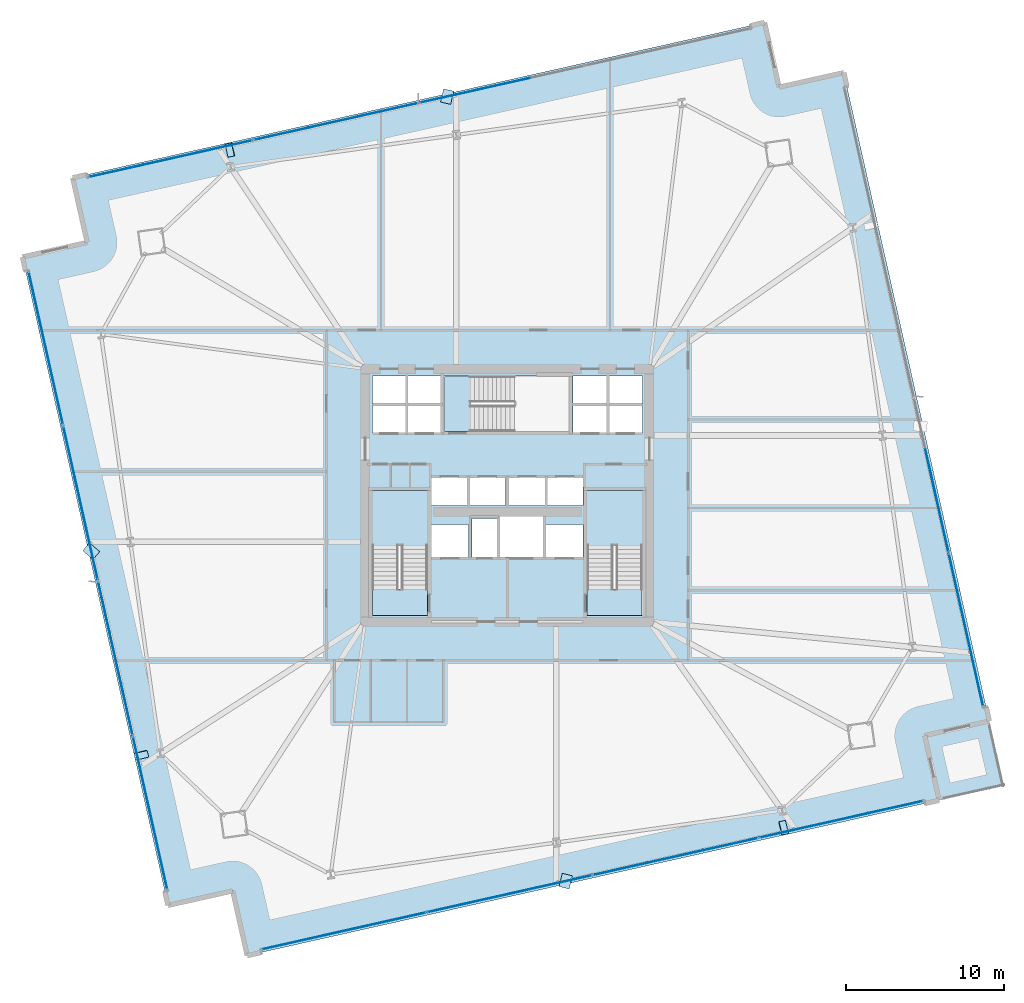
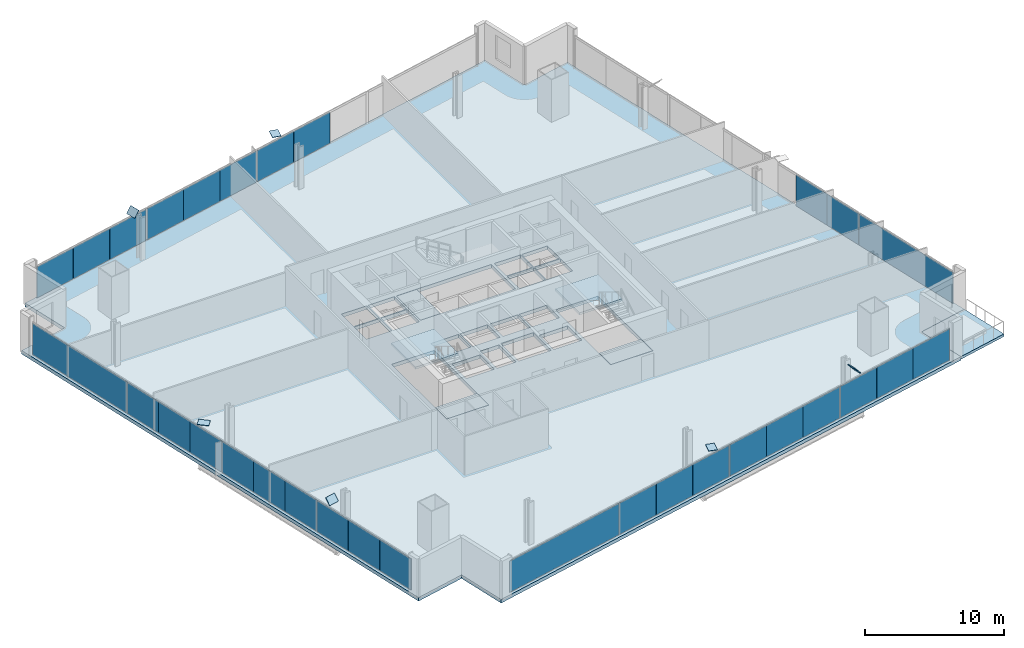
# One storey, part 23 of 32: 37 plates, 7 slabs, 6 elements without a shape of their own.
"""IFC4 building model written with IfcOpenShell, lengths in metres."""

from ifc_helpers import new_model, si_unit, direction, frame, origin, origin_2d, place, context, subcontext, project, spatial, polyline, rectangle, outline, extrude, source, transform, mapped, material, layer, layer_set, type_object, element, aggregate, save


model = new_model("IFC4")

# Units and contexts
model_context = context("Model", 3, precision=1e-05, world=origin(), true_north=direction((0.0, 1.0)))
body_context = subcontext(model_context, "Body", "Model", "MODEL_VIEW")
ifc_project = project(units=[si_unit("LENGTHUNIT", "METRE"), si_unit("AREAUNIT", "SQUARE_METRE"), si_unit("VOLUMEUNIT", "CUBIC_METRE"), si_unit("PLANEANGLEUNIT", "RADIAN"), si_unit("MASSUNIT", "GRAM", prefix="KILO")], contexts=[model_context])

# Site, building, storey
site_placement = place(None, origin())
site = spatial("IfcSite", under=ifc_project, at=site_placement, CompositionType="ELEMENT")
building_placement = place(site_placement, origin())
building = spatial("IfcBuilding", under=site, at=building_placement, Name="Haldenkirk Collegiate Tower", CompositionType="ELEMENT")
storey_placement = place(building_placement, frame((0.0, 0.0, 70.199951171875)))
storey = spatial("IfcBuildingStorey", under=building, at=storey_placement, Name="L16", CompositionType="ELEMENT", Elevation=70.199951171875)

# Slab
ifc_material_1 = material(Name="Concrete f'c 40 MPa", Category="concrete")
ifc_layer_1 = layer(ifc_material_1, 0.31005859375)
ifc_layer_set_1 = layer_set([ifc_layer_1], Name="Concrete f'c 40 MPa")
slab_type_1 = type_object("IfcSlabType", Name="SLB-FLR-310", PredefinedType="FLOOR", material=ifc_layer_set_1)
slab_1_placement = place(storey_placement, frame((0.0, 0.0, -0.31005859375)))
element("IfcSlab", 1, at=slab_1_placement, inside=storey, type_object=slab_type_1, Name="L16 composite structural floor slab", PredefinedType="FLOOR", context=body_context, shape_type="SweptSolid", body=[
    extrude(outline(polyline([(19.531494140625, -3.138916015625), (63.341552734375, 6.694091796875), (62.421875, 10.7919921875), (66.52001953125, 11.7119140625), (57.3056640625, 52.765380859375), (53.20751953125, 51.845703125), (52.287841796875, 55.94384765625), (8.477783203125, 46.11083984375), (9.3974609375, 42.012939453125), (5.299560546875, 41.093017578125), (14.513671875, 0.039306640625), (18.61181640625, 0.959228515625), (19.531494140625, -3.138916015625)]), holes=[polyline([(27.449951171875, 18.39990234375), (30.949951171875, 18.39990234375), (30.949951171875, 26.300048828125), (27.449951171875, 26.300048828125), (27.449951171875, 18.39990234375)]), polyline([(41.050048828125, 18.39990234375), (44.550048828125, 18.39990234375), (44.550048828125, 26.300048828125), (41.050048828125, 26.300048828125), (41.050048828125, 18.39990234375)]), polyline([(32.0, 30.050048828125), (39.89990234375, 30.050048828125), (39.89990234375, 33.550048828125), (32.0, 33.550048828125), (32.0, 30.050048828125)]), polyline([(33.75, 22.10009765625), (35.35009765625, 22.10009765625), (35.35009765625, 24.550048828125), (33.75, 24.550048828125), (33.75, 22.10009765625)]), polyline([(27.449951171875, 29.949951171875), (29.580078125, 29.949951171875), (29.580078125, 31.699951171875), (27.449951171875, 31.699951171875), (27.449951171875, 29.949951171875)]), polyline([(29.679931640625, 29.949951171875), (31.85009765625, 29.949951171875), (31.85009765625, 31.699951171875), (29.679931640625, 31.699951171875), (29.679931640625, 29.949951171875)]), polyline([(27.449951171875, 31.800048828125), (29.580078125, 31.800048828125), (29.580078125, 33.550048828125), (27.449951171875, 33.550048828125), (27.449951171875, 31.800048828125)]), polyline([(29.679931640625, 31.800048828125), (31.85009765625, 31.800048828125), (31.85009765625, 33.550048828125), (29.679931640625, 33.550048828125), (29.679931640625, 31.800048828125)]), polyline([(40.14990234375, 29.949951171875), (42.320068359375, 29.949951171875), (42.320068359375, 31.699951171875), (40.14990234375, 31.699951171875), (40.14990234375, 29.949951171875)]), polyline([(42.419921875, 29.949951171875), (44.550048828125, 29.949951171875), (44.550048828125, 31.699951171875), (42.419921875, 31.699951171875), (42.419921875, 29.949951171875)]), polyline([(40.14990234375, 31.800048828125), (42.320068359375, 31.800048828125), (42.320068359375, 33.550048828125), (40.14990234375, 33.550048828125), (40.14990234375, 31.800048828125)]), polyline([(42.419921875, 31.800048828125), (44.550048828125, 31.800048828125), (44.550048828125, 33.550048828125), (42.419921875, 33.550048828125), (42.419921875, 31.800048828125)]), polyline([(31.199951171875, 25.35009765625), (33.47998046875, 25.35009765625), (33.47998046875, 27.14990234375), (31.199951171875, 27.14990234375), (31.199951171875, 25.35009765625)]), polyline([(33.60009765625, 25.35009765625), (35.8798828125, 25.35009765625), (35.8798828125, 27.14990234375), (33.60009765625, 27.14990234375), (33.60009765625, 25.35009765625)]), polyline([(36.1201171875, 25.35009765625), (38.39990234375, 25.35009765625), (38.39990234375, 27.14990234375), (36.1201171875, 27.14990234375), (36.1201171875, 25.35009765625)]), polyline([(38.52001953125, 25.35009765625), (40.800048828125, 25.35009765625), (40.800048828125, 27.14990234375), (38.52001953125, 27.14990234375), (38.52001953125, 25.35009765625)]), polyline([(31.199951171875, 22.10009765625), (33.550048828125, 22.10009765625), (33.550048828125, 24.14990234375), (31.199951171875, 24.14990234375), (31.199951171875, 22.10009765625)]), polyline([(38.449951171875, 22.10009765625), (40.800048828125, 22.10009765625), (40.800048828125, 24.14990234375), (38.449951171875, 24.14990234375), (38.449951171875, 22.10009765625)]), polyline([(35.550048828125, 22.10009765625), (38.25, 22.10009765625), (38.25, 24.64990234375), (35.550048828125, 24.64990234375), (35.550048828125, 22.10009765625)])]), origin(), (0.0, 0.0, 1.0), 0.31005859375),
])

# Stair, slab
stair_type = type_object("IfcStairType", Name="STR-DOGLEG-1650", PredefinedType="HALF_TURN_STAIR", material=ifc_material_1)
stair_1_placement = place(storey_placement, origin())
stair_1 = element("IfcStair", 2, at=stair_1_placement, inside=storey, type_object=stair_type, Name="L16 Core Exit Stair ST-1", PredefinedType="HALF_TURN_STAIR")
ifc_layer_2 = layer(ifc_material_1, 0.199951171875)
ifc_layer_set_2 = layer_set([ifc_layer_2], Name="Concrete f'c 40 MPa")
slab_type_2 = type_object("IfcSlabType", Name="SLB-LANDING-200", PredefinedType="LANDING", material=ifc_layer_set_2)
slab_2_placement = place(storey_placement, frame((0.0, 0.0, 1.675048828125)))
slab_2 = element("IfcSlab", 3, at=slab_2_placement, type_object=slab_type_2, Name="ST-1 landing 1", PredefinedType="LANDING", context=body_context, shape_type="SweptSolid", body=[
    extrude(outline(polyline([(30.97509765625, 22.824951171875), (27.425048828125, 22.824951171875), (27.425048828125, 26.324951171875), (30.97509765625, 26.324951171875), (30.97509765625, 22.824951171875)])), origin(), (0.0, 0.0, 1.0), 0.199951171875),
])
aggregate(stair_1, [slab_2])

stair_2_placement = place(storey_placement, origin())
stair_2 = element("IfcStair", 4, at=stair_2_placement, inside=storey, type_object=stair_type, Name="L16 Core Exit Stair ST-2", PredefinedType="HALF_TURN_STAIR")
slab_3_placement = place(storey_placement, frame((0.0, 0.0, 1.675048828125)))
slab_3 = element("IfcSlab", 5, at=slab_3_placement, type_object=slab_type_2, Name="ST-2 landing 1", PredefinedType="LANDING", context=body_context, shape_type="SweptSolid", body=[
    extrude(outline(polyline([(44.574951171875, 22.824951171875), (41.02490234375, 22.824951171875), (41.02490234375, 26.324951171875), (44.574951171875, 26.324951171875), (44.574951171875, 22.824951171875)])), origin(), (0.0, 0.0, 1.0), 0.199951171875),
])
aggregate(stair_2, [slab_3])

# Slabs
ifc_layer_3 = layer(ifc_material_1, 0.25)
ifc_layer_set_3 = layer_set([ifc_layer_3], Name="Concrete f'c 40 MPa")
slab_type_3 = type_object("IfcSlabType", Name="SLB-STAIRLAND-250", PredefinedType="LANDING", material=ifc_layer_set_3)
slab_4_placement = place(storey_placement, frame((0.0, 0.0, -0.25)))
element("IfcSlab", 6, at=slab_4_placement, inside=storey, type_object=slab_type_3, Name="L16 stair ST1 structural floor landing slab", PredefinedType="LANDING", context=body_context, shape_type="SweptSolid", body=[
    extrude(outline(polyline([(27.4599609375, 18.409912109375), (30.93994140625, 18.409912109375), (30.93994140625, 20.080078125), (27.4599609375, 20.080078125), (27.4599609375, 18.409912109375)])), origin(), (0.0, 0.0, 1.0), 0.25),
])
slab_5_placement = place(storey_placement, frame((0.0, 0.0, -0.25)))
element("IfcSlab", 7, at=slab_5_placement, inside=storey, type_object=slab_type_3, Name="L16 stair ST2 structural floor landing slab", PredefinedType="LANDING", context=body_context, shape_type="SweptSolid", body=[
    extrude(outline(polyline([(41.06005859375, 18.409912109375), (44.5400390625, 18.409912109375), (44.5400390625, 20.080078125), (41.06005859375, 20.080078125), (41.06005859375, 18.409912109375)])), origin(), (0.0, 0.0, 1.0), 0.25),
])
slab_6_placement = place(storey_placement, frame((0.0, 0.0, -0.25)))
element("IfcSlab", 8, at=slab_6_placement, inside=storey, type_object=slab_type_3, Name="L16 stair ST3 structural floor landing slab", PredefinedType="LANDING", context=body_context, shape_type="SweptSolid", body=[
    extrude(outline(polyline([(32.010009765625, 30.06005859375), (33.679931640625, 30.06005859375), (33.679931640625, 33.5400390625), (32.010009765625, 33.5400390625), (32.010009765625, 30.06005859375)])), origin(), (0.0, 0.0, 1.0), 0.25),
])
ifc_layer_4 = layer(ifc_material_1, 0.22998046875)
ifc_layer_set_4 = layer_set([ifc_layer_4], Name="Concrete f'c 40 MPa")
slab_type_4 = type_object("IfcSlabType", Name="SLB-TERR-SPIRAL-230", PredefinedType="FLOOR", material=ifc_layer_set_4)
slab_7_placement = place(storey_placement, frame((0.0, 0.0, -0.22998046875)))
element("IfcSlab", 9, at=slab_7_placement, inside=storey, type_object=slab_type_4, Name="L16 spiralling corner terrace slab", PredefinedType="FLOOR", context=body_context, shape_type="SweptSolid", body=[
    extrude(outline(polyline([(63.341552734375, 6.694091796875), (67.439697265625, 7.61376953125), (66.52001953125, 11.7119140625), (62.421875, 10.7919921875), (63.341552734375, 6.694091796875)])), origin(), (0.0, 0.0, 1.0), 0.22998046875),
])

# Plates
ifc_material_2 = material(Name="Steel ASTM A572 Grade 50", Category="steel")
ifc_layer_5 = layer(ifc_material_2, 0.034912109375)
ifc_layer_set_5 = layer_set([ifc_layer_5], Name="Steel ASTM A572 Grade 50")
plate_type_1 = type_object("IfcPlateType", Name="PLT-CAP-EXT-760X600", PredefinedType="USERDEFINED", material=ifc_layer_set_5)
shared_shape_1 = source(origin(), body_context, "Body", "SweptSolid", [
    extrude(rectangle(XDim=0.860107421875, YDim=0.659912109375, at=origin_2d()), origin(), (0.0, 0.0, 1.0), 0.034912109375),
])
for number, where, z_axis, x_axis, name in (
    (10, (39.691650390625, 1.5703125, 3.42724609375), (0.018912000295, -0.004719000074, 0.999810015595), (0.242105952403, 0.970249817218, -9.8903e-08), "Perimeter Mega Brace Z1 L14-L16 SL end cap plate 2"),
    (11, (53.47802734375, 4.956787109375, 3.42822265625), (0.766452034281, 0.182499008163, 0.615829027544), (-0.231633054099, 0.97280323203, 8.74e-10), "Perimeter Mega Brace Z1 L14-L16 SR end cap plate 2"),
    (12, (32.189453125, 51.25, 3.42724609375), (-0.019898007315, 0.004826001774, 0.999790367533), (-0.235687010765, -0.971829014259, 3.46755e-07), "Perimeter Mega Brace Z1 L14-L16 NL end cap plate 2"),
    (13, (18.445068359375, 47.873779296875, 3.42822265625), (-0.76583973759, -0.182121937597, 0.616701788691), (0.231355039478, -0.972869387795, 4.0198e-08), "Perimeter Mega Brace Z1 L14-L16 NR end cap plate 2"),
    (14, (9.6513671875, 22.47021484375, 3.42724609375), (-0.00926099956, -0.010691999492, 0.999899952512), (0.755875902683, -0.654714914862, -4.5139e-08), "Perimeter Mega Brace Z1 L14-L16 WL end cap plate 2"),
    (15, (12.821533203125, 9.562744140625, 3.42822265625), (0.175390985133, -0.745176936835, 0.643388945463), (0.973401050159, 0.22910782516, 1.52692e-07), "Perimeter Mega Brace Z1 L14-L16 WR end cap plate 2"),
):
    element("IfcPlate", number, at=place(storey_placement, frame(where, z_axis=z_axis, x_axis=x_axis)), inside=storey, type_object=plate_type_1, Name=name, ObjectType="END CAP PLATE", PredefinedType="USERDEFINED", context=body_context, shape_type="MappedRepresentation", body=[
        mapped(shared_shape_1, transform((0.0, 0.0, 0.0), x_axis=(1.0, 0.0, 0.0), y_axis=(0.0, 1.0, 0.0), z_axis=(0.0, 0.0, 1.0), scale=1.0)),
    ])

# Curtain wall, plates
ifc_material_3 = material(Name="Anodised architectural bronze aluminium", Category="aluminium")
curtain_wall_type_1 = type_object("IfcCurtainWallType", Name="CW-SYS2-CONCAVE", PredefinedType="USERDEFINED", material=ifc_material_3)
curtain_wall_1_placement = place(storey_placement, origin())
curtain_wall_1 = element("IfcCurtainWall", 16, at=curtain_wall_1_placement, inside=storey, type_object=curtain_wall_type_1, Name="L16 South concave recessed bronze-anodised curtain wall", ObjectType="UNITISED CURTAIN WALL", PredefinedType="USERDEFINED")
ifc_material_4 = material(Name="Bronze-anodised insulated aluminium spandrel panel", Category="aluminium")
ifc_layer_6 = layer(ifc_material_4, 0.0419921875)
ifc_layer_set_6 = layer_set([ifc_layer_6], Name="Bronze-anodised insulated aluminium spandrel panel")
plate_type_2 = type_object("IfcPlateType", Name="CW-SPD-02", PredefinedType="CURTAIN_PANEL", material=ifc_layer_set_6)
shared_shape_2 = source(origin(), body_context, "Body", "SweptSolid", [
    extrude(rectangle(XDim=3.55419921875, YDim=0.0419921875, at=origin_2d()), origin(), (0.0, 0.0, 1.0), 2.740966796875),
])
plate_1_placement = place(storey_placement, frame((50.139892578125, 3.91552734375, 0.0751953125), z_axis=(0.0, 0.0, 1.0), x_axis=(-0.975726300015, -0.218993578578, 0.0)))
plate_1 = element("IfcPlate", 17, at=plate_1_placement, type_object=plate_type_2, Name="CW-02 spandrel panel 2.1a", PredefinedType="CURTAIN_PANEL", context=body_context, shape_type="MappedRepresentation", body=[
    mapped(shared_shape_2, transform((0.0, 0.0, 0.0), x_axis=(1.0, 0.0, 0.0), y_axis=(0.0, 1.0, 0.0), z_axis=(0.0, 0.0, 1.0), scale=1.0)),
])
ifc_material_5 = material(Name="Low-E argon triple insulating glass", Category="glass")
ifc_layer_7 = layer(ifc_material_5, 0.0419921875)
ifc_layer_set_7 = layer_set([ifc_layer_7], Name="Low-E argon triple insulating glass")
plate_type_3 = type_object("IfcPlateType", Name="CW-PNL-02", PredefinedType="CURTAIN_PANEL", material=ifc_layer_set_7)
plate_2_placement = place(storey_placement, frame((43.167724609375, 2.3505859375, 0.0751953125), z_axis=(0.0, 0.0, 1.0), x_axis=(-0.975726300015, -0.218993578578, 0.0)))
plate_2 = element("IfcPlate", 18, at=plate_2_placement, type_object=plate_type_3, Name="CW-02 panel 2.1c", PredefinedType="CURTAIN_PANEL", context=body_context, shape_type="MappedRepresentation", body=[
    mapped(shared_shape_2, transform((0.0, 0.0, 0.0), x_axis=(1.0, 0.0, 0.0), y_axis=(0.0, 1.0, 0.0), z_axis=(0.0, 0.0, 1.0), scale=1.0)),
])
plate_3_placement = place(storey_placement, frame((39.626708984375, 1.555908203125, 0.0751953125), z_axis=(0.0, 0.0, 1.0), x_axis=(-0.975726300015, -0.218993578578, 0.0)))
plate_3 = element("IfcPlate", 19, at=plate_3_placement, type_object=plate_type_2, Name="CW-02 spandrel panel 3.1a", PredefinedType="CURTAIN_PANEL", context=body_context, shape_type="MappedRepresentation", body=[
    mapped(shared_shape_2, transform((0.0, 0.0, 0.0), x_axis=(1.0, 0.0, 0.0), y_axis=(0.0, 1.0, 0.0), z_axis=(0.0, 0.0, 1.0), scale=1.0)),
])
plate_4_placement = place(storey_placement, frame((32.654296875, -0.009033203125, 0.0751953125), z_axis=(0.0, 0.0, 1.0), x_axis=(-0.975726300015, -0.218993578578, 0.0)))
plate_4 = element("IfcPlate", 20, at=plate_4_placement, type_object=plate_type_3, Name="CW-02 panel 3.1c", PredefinedType="CURTAIN_PANEL", context=body_context, shape_type="MappedRepresentation", body=[
    mapped(shared_shape_2, transform((0.0, 0.0, 0.0), x_axis=(1.0, 0.0, 0.0), y_axis=(0.0, 1.0, 0.0), z_axis=(0.0, 0.0, 1.0), scale=1.0)),
])
shared_shape_3 = source(origin(), body_context, "Body", "SweptSolid", [
    extrude(rectangle(XDim=3.541748046875, YDim=0.0419921875, at=origin_2d()), origin(), (0.0, 0.0, 1.0), 2.740966796875),
])
plate_5_placement = place(storey_placement, frame((60.623046875, 6.268310546875, 0.0751953125), z_axis=(0.0, 0.0, 1.0), x_axis=(-0.975726300015, -0.218993578578, 0.0)))
plate_5 = element("IfcPlate", 21, at=plate_5_placement, type_object=plate_type_3, Name="CW-02 panel 1.1a", PredefinedType="CURTAIN_PANEL", context=body_context, shape_type="MappedRepresentation", body=[
    mapped(shared_shape_3, transform((0.0, 0.0, 0.0), x_axis=(1.0, 0.0, 0.0), y_axis=(0.0, 1.0, 0.0), z_axis=(0.0, 0.0, 1.0), scale=1.0)),
])
plate_6_placement = place(storey_placement, frame((53.675048828125, 4.708984375, 0.0751953125), z_axis=(0.0, 0.0, 1.0), x_axis=(-0.975726300015, -0.218993578578, 0.0)))
plate_6 = element("IfcPlate", 22, at=plate_6_placement, type_object=plate_type_2, Name="CW-02 spandrel panel 1.1c", PredefinedType="CURTAIN_PANEL", context=body_context, shape_type="MappedRepresentation", body=[
    mapped(shared_shape_3, transform((0.0, 0.0, 0.0), x_axis=(1.0, 0.0, 0.0), y_axis=(0.0, 1.0, 0.0), z_axis=(0.0, 0.0, 1.0), scale=1.0)),
])
plate_7_placement = place(storey_placement, frame((46.65380859375, 3.133056640625, 0.0751953125), z_axis=(0.0, 0.0, 1.0), x_axis=(-0.975726300015, -0.218993578578, 0.0)))
plate_7 = element("IfcPlate", 23, at=plate_7_placement, type_object=plate_type_3, Name="CW-02 panel 2.1b", PredefinedType="CURTAIN_PANEL", context=body_context, shape_type="MappedRepresentation", body=[
    mapped(shared_shape_3, transform((0.0, 0.0, 0.0), x_axis=(1.0, 0.0, 0.0), y_axis=(0.0, 1.0, 0.0), z_axis=(0.0, 0.0, 1.0), scale=1.0)),
])
plate_8_placement = place(storey_placement, frame((36.140380859375, 0.7734375, 0.0751953125), z_axis=(0.0, 0.0, 1.0), x_axis=(-0.975726300015, -0.218993578578, 0.0)))
plate_8 = element("IfcPlate", 24, at=plate_8_placement, type_object=plate_type_3, Name="CW-02 panel 3.1b", PredefinedType="CURTAIN_PANEL", context=body_context, shape_type="MappedRepresentation", body=[
    mapped(shared_shape_3, transform((0.0, 0.0, 0.0), x_axis=(1.0, 0.0, 0.0), y_axis=(0.0, 1.0, 0.0), z_axis=(0.0, 0.0, 1.0), scale=1.0)),
])

# Curtain wall, plate
curtain_wall_type_2 = type_object("IfcCurtainWallType", Name="CW-SYS1-CONVEX-LOW", PredefinedType="USERDEFINED", material=ifc_material_3)
curtain_wall_2_placement = place(storey_placement, origin())
curtain_wall_2 = element("IfcCurtainWall", 25, at=curtain_wall_2_placement, inside=storey, type_object=curtain_wall_type_2, Name="L16 Lower tower convex bronze-framed unitised curtain wall", ObjectType="UNITISED CURTAIN WALL", PredefinedType="USERDEFINED")
ifc_layer_8 = layer(ifc_material_5, 0.0439453125)
ifc_layer_set_8 = layer_set([ifc_layer_8], Name="Low-E argon triple insulating glass")
plate_type_4 = type_object("IfcPlateType", Name="CW-PNL-1A", PredefinedType="CURTAIN_PANEL", material=ifc_layer_set_8)
shared_shape_4 = source(origin(), body_context, "Body", "SweptSolid", [
    extrude(rectangle(XDim=9.94873046875, YDim=0.0439453125, at=origin_2d()), origin(), (0.0, 0.0, 1.0), 2.73095703125),
])
plate_9_placement = place(storey_placement, frame((65.040283203125, 17.482421875, 0.080078125), z_axis=(0.0, 0.0, 1.0), x_axis=(0.218995311037, -0.975725911178, 0.0)))
plate_9 = element("IfcPlate", 26, at=plate_9_placement, type_object=plate_type_4, Name="CW-1A panel 4.1", PredefinedType="CURTAIN_PANEL", context=body_context, shape_type="MappedRepresentation", body=[
    mapped(shared_shape_4, transform((0.0, 0.0, 0.0), x_axis=(1.0, 0.0, 0.0), y_axis=(0.0, 1.0, 0.0), z_axis=(0.0, 0.0, 1.0), scale=1.0)),
])

curtain_wall_3_placement = place(storey_placement, origin())
curtain_wall_3 = element("IfcCurtainWall", 27, at=curtain_wall_3_placement, inside=storey, type_object=curtain_wall_type_2, Name="L16 Lower tower convex bronze-framed unitised curtain wall", ObjectType="UNITISED CURTAIN WALL", PredefinedType="USERDEFINED")
plate_10_placement = place(storey_placement, frame((6.779052734375, 35.322509765625, 0.080078125), z_axis=(0.0, 0.0, 1.0), x_axis=(-0.218994780479, 0.975726030258, 0.0)))
plate_10 = element("IfcPlate", 28, at=plate_10_placement, type_object=plate_type_4, Name="CW-1A panel 4.1", PredefinedType="CURTAIN_PANEL", context=body_context, shape_type="MappedRepresentation", body=[
    mapped(shared_shape_4, transform((0.0, 0.0, 0.0), x_axis=(1.0, 0.0, 0.0), y_axis=(0.0, 1.0, 0.0), z_axis=(0.0, 0.0, 1.0), scale=1.0)),
])

# Plate
shared_shape_5 = source(origin(), body_context, "Body", "SweptSolid", [
    extrude(rectangle(XDim=3.317138671875, YDim=0.0439453125, at=origin_2d()), origin(), (0.0, 0.0, 1.0), 2.73095703125),
])
plate_11_placement = place(storey_placement, frame((63.5703125, 24.0322265625, 0.080078125), z_axis=(0.0, 0.0, 1.0), x_axis=(0.218995311037, -0.975725911178, 0.0)))
plate_11 = element("IfcPlate", 29, at=plate_11_placement, type_object=plate_type_4, Name="CW-1A panel 3.1c", PredefinedType="CURTAIN_PANEL", context=body_context, shape_type="MappedRepresentation", body=[
    mapped(shared_shape_5, transform((0.0, 0.0, 0.0), x_axis=(1.0, 0.0, 0.0), y_axis=(0.0, 1.0, 0.0), z_axis=(0.0, 0.0, 1.0), scale=1.0)),
])

ifc_layer_9 = layer(ifc_material_4, 0.0439453125)
ifc_layer_set_9 = layer_set([ifc_layer_9], Name="Bronze-anodised insulated aluminium spandrel panel")
plate_type_5 = type_object("IfcPlateType", Name="CW-SPD-1A", PredefinedType="CURTAIN_PANEL", material=ifc_layer_set_9)
plate_12_placement = place(storey_placement, frame((11.915283203125, 12.438720703125, 0.080078125), z_axis=(0.0, 0.0, 1.0), x_axis=(-0.218994780479, 0.975726030258, 0.0)))
plate_12 = element("IfcPlate", 30, at=plate_12_placement, type_object=plate_type_5, Name="CW-1A spandrel panel 2.1a", PredefinedType="CURTAIN_PANEL", context=body_context, shape_type="MappedRepresentation", body=[
    mapped(shared_shape_5, transform((0.0, 0.0, 0.0), x_axis=(1.0, 0.0, 0.0), y_axis=(0.0, 1.0, 0.0), z_axis=(0.0, 0.0, 1.0), scale=1.0)),
])

plate_13_placement = place(storey_placement, frame((10.4541015625, 18.9482421875, 0.080078125), z_axis=(0.0, 0.0, 1.0), x_axis=(-0.218994780479, 0.975726030258, 0.0)))
plate_13 = element("IfcPlate", 31, at=plate_13_placement, type_object=plate_type_4, Name="CW-1A panel 2.1c", PredefinedType="CURTAIN_PANEL", context=body_context, shape_type="MappedRepresentation", body=[
    mapped(shared_shape_5, transform((0.0, 0.0, 0.0), x_axis=(1.0, 0.0, 0.0), y_axis=(0.0, 1.0, 0.0), z_axis=(0.0, 0.0, 1.0), scale=1.0)),
])

plate_14_placement = place(storey_placement, frame((9.710205078125, 22.262939453125, 0.080078125), z_axis=(0.0, 0.0, 1.0), x_axis=(-0.218994780479, 0.975726030258, 0.0)))
plate_14 = element("IfcPlate", 32, at=plate_14_placement, type_object=plate_type_5, Name="CW-1A spandrel panel 3.1a", PredefinedType="CURTAIN_PANEL", context=body_context, shape_type="MappedRepresentation", body=[
    mapped(shared_shape_5, transform((0.0, 0.0, 0.0), x_axis=(1.0, 0.0, 0.0), y_axis=(0.0, 1.0, 0.0), z_axis=(0.0, 0.0, 1.0), scale=1.0)),
])

plate_15_placement = place(storey_placement, frame((8.249267578125, 28.772705078125, 0.080078125), z_axis=(0.0, 0.0, 1.0), x_axis=(-0.218994780479, 0.975726030258, 0.0)))
plate_15 = element("IfcPlate", 33, at=plate_15_placement, type_object=plate_type_4, Name="CW-1A panel 3.1c", PredefinedType="CURTAIN_PANEL", context=body_context, shape_type="MappedRepresentation", body=[
    mapped(shared_shape_5, transform((0.0, 0.0, 0.0), x_axis=(1.0, 0.0, 0.0), y_axis=(0.0, 1.0, 0.0), z_axis=(0.0, 0.0, 1.0), scale=1.0)),
])

shared_shape_6 = source(origin(), body_context, "Body", "SweptSolid", [
    extrude(rectangle(XDim=3.3046875, YDim=0.0439453125, at=origin_2d()), origin(), (0.0, 0.0, 1.0), 2.73095703125),
])
plate_16_placement = place(storey_placement, frame((62.839599609375, 27.287109375, 0.080078125), z_axis=(0.0, 0.0, 1.0), x_axis=(0.218995311037, -0.975725911178, 0.0)))
plate_16 = element("IfcPlate", 34, at=plate_16_placement, type_object=plate_type_4, Name="CW-1A panel 3.1b", PredefinedType="CURTAIN_PANEL", context=body_context, shape_type="MappedRepresentation", body=[
    mapped(shared_shape_6, transform((0.0, 0.0, 0.0), x_axis=(1.0, 0.0, 0.0), y_axis=(0.0, 1.0, 0.0), z_axis=(0.0, 0.0, 1.0), scale=1.0)),
])

aggregate(curtain_wall_2, [plate_16, plate_11, plate_9])

plate_17_placement = place(storey_placement, frame((11.184814453125, 15.693603515625, 0.080078125), z_axis=(0.0, 0.0, 1.0), x_axis=(-0.218994780479, 0.975726030258, 0.0)))
plate_17 = element("IfcPlate", 35, at=plate_17_placement, type_object=plate_type_5, Name="CW-1A spandrel panel 2.1b", PredefinedType="CURTAIN_PANEL", context=body_context, shape_type="MappedRepresentation", body=[
    mapped(shared_shape_6, transform((0.0, 0.0, 0.0), x_axis=(1.0, 0.0, 0.0), y_axis=(0.0, 1.0, 0.0), z_axis=(0.0, 0.0, 1.0), scale=1.0)),
])

plate_18_placement = place(storey_placement, frame((8.979736328125, 25.517822265625, 0.080078125), z_axis=(0.0, 0.0, 1.0), x_axis=(-0.218994780479, 0.975726030258, 0.0)))
plate_18 = element("IfcPlate", 36, at=plate_18_placement, type_object=plate_type_4, Name="CW-1A panel 3.1b", PredefinedType="CURTAIN_PANEL", context=body_context, shape_type="MappedRepresentation", body=[
    mapped(shared_shape_6, transform((0.0, 0.0, 0.0), x_axis=(1.0, 0.0, 0.0), y_axis=(0.0, 1.0, 0.0), z_axis=(0.0, 0.0, 1.0), scale=1.0)),
])

# Curtain wall, plates
curtain_wall_4_placement = place(storey_placement, origin())
curtain_wall_4 = element("IfcCurtainWall", 37, at=curtain_wall_4_placement, inside=storey, type_object=curtain_wall_type_2, Name="L16 Lower tower convex bronze-framed unitised curtain wall", ObjectType="UNITISED CURTAIN WALL", PredefinedType="USERDEFINED")
shared_shape_7 = source(origin(), body_context, "Body", "SweptSolid", [
    extrude(rectangle(XDim=3.552490234375, YDim=0.0439453125, at=origin_2d()), origin(), (0.0, 0.0, 1.0), 2.73095703125),
])
plate_19_placement = place(storey_placement, frame((21.680908203125, 48.889892578125, 0.080078125), z_axis=(0.0, 0.0, 1.0), x_axis=(0.975725804241, 0.218995787492, 0.0)))
plate_19 = element("IfcPlate", 38, at=plate_19_placement, type_object=plate_type_5, Name="CW-1A spandrel panel 2.1a", PredefinedType="CURTAIN_PANEL", context=body_context, shape_type="MappedRepresentation", body=[
    mapped(shared_shape_7, transform((0.0, 0.0, 0.0), x_axis=(1.0, 0.0, 0.0), y_axis=(0.0, 1.0, 0.0), z_axis=(0.0, 0.0, 1.0), scale=1.0)),
])
plate_20_placement = place(storey_placement, frame((28.64990234375, 50.4541015625, 0.080078125), z_axis=(0.0, 0.0, 1.0), x_axis=(0.975725804241, 0.218995787492, 0.0)))
plate_20 = element("IfcPlate", 39, at=plate_20_placement, type_object=plate_type_4, Name="CW-1A panel 2.1c", PredefinedType="CURTAIN_PANEL", context=body_context, shape_type="MappedRepresentation", body=[
    mapped(shared_shape_7, transform((0.0, 0.0, 0.0), x_axis=(1.0, 0.0, 0.0), y_axis=(0.0, 1.0, 0.0), z_axis=(0.0, 0.0, 1.0), scale=1.0)),
])
plate_21_placement = place(storey_placement, frame((32.1943359375, 51.24951171875, 0.080078125), z_axis=(0.0, 0.0, 1.0), x_axis=(0.975725804241, 0.218995787492, 0.0)))
plate_21 = element("IfcPlate", 40, at=plate_21_placement, type_object=plate_type_5, Name="CW-1A spandrel panel 3.1a", PredefinedType="CURTAIN_PANEL", context=body_context, shape_type="MappedRepresentation", body=[
    mapped(shared_shape_7, transform((0.0, 0.0, 0.0), x_axis=(1.0, 0.0, 0.0), y_axis=(0.0, 1.0, 0.0), z_axis=(0.0, 0.0, 1.0), scale=1.0)),
])
shared_shape_8 = source(origin(), body_context, "Body", "SweptSolid", [
    extrude(rectangle(XDim=3.5400390625, YDim=0.0439453125, at=origin_2d()), origin(), (0.0, 0.0, 1.0), 2.73095703125),
])
plate_22_placement = place(storey_placement, frame((25.165283203125, 49.671875, 0.080078125), z_axis=(0.0, 0.0, 1.0), x_axis=(0.975725804241, 0.218995787492, 0.0)))
plate_22 = element("IfcPlate", 41, at=plate_22_placement, type_object=plate_type_4, Name="CW-1A panel 2.1b", PredefinedType="CURTAIN_PANEL", context=body_context, shape_type="MappedRepresentation", body=[
    mapped(shared_shape_8, transform((0.0, 0.0, 0.0), x_axis=(1.0, 0.0, 0.0), y_axis=(0.0, 1.0, 0.0), z_axis=(0.0, 0.0, 1.0), scale=1.0)),
])
plate_23_placement = place(storey_placement, frame((35.678955078125, 52.031494140625, 0.080078125), z_axis=(0.0, 0.0, 1.0), x_axis=(0.975725804241, 0.218995787492, 0.0)))
plate_23 = element("IfcPlate", 42, at=plate_23_placement, type_object=plate_type_4, Name="CW-1A panel 3.1b", PredefinedType="CURTAIN_PANEL", context=body_context, shape_type="MappedRepresentation", body=[
    mapped(shared_shape_8, transform((0.0, 0.0, 0.0), x_axis=(1.0, 0.0, 0.0), y_axis=(0.0, 1.0, 0.0), z_axis=(0.0, 0.0, 1.0), scale=1.0)),
])

# Plate
shared_shape_9 = source(origin(), body_context, "Body", "SweptSolid", [
    extrude(rectangle(XDim=10.662353515625, YDim=0.0419921875, at=origin_2d()), origin(), (0.0, 0.0, 1.0), 2.740966796875),
])
plate_24_placement = place(storey_placement, frame((25.645263671875, -1.582275390625, 0.0751953125), z_axis=(0.0, 0.0, 1.0), x_axis=(-0.975726300015, -0.218993578578, 0.0)))
plate_24 = element("IfcPlate", 43, at=plate_24_placement, type_object=plate_type_3, Name="CW-02 panel 4.1", PredefinedType="CURTAIN_PANEL", context=body_context, shape_type="MappedRepresentation", body=[
    mapped(shared_shape_9, transform((0.0, 0.0, 0.0), x_axis=(1.0, 0.0, 0.0), y_axis=(0.0, 1.0, 0.0), z_axis=(0.0, 0.0, 1.0), scale=1.0)),
])

shared_shape_10 = source(origin(), body_context, "Body", "SweptSolid", [
    extrude(rectangle(XDim=3.529296875, YDim=0.0419921875, at=origin_2d()), origin(), (0.0, 0.0, 1.0), 2.740966796875),
])
plate_25_placement = place(storey_placement, frame((57.14892578125, 5.488525390625, 0.0751953125), z_axis=(0.0, 0.0, 1.0), x_axis=(-0.975726300015, -0.218993578578, 0.0)))
plate_25 = element("IfcPlate", 44, at=plate_25_placement, type_object=plate_type_3, Name="CW-02 panel 1.1b", PredefinedType="CURTAIN_PANEL", context=body_context, shape_type="MappedRepresentation", body=[
    mapped(shared_shape_10, transform((0.0, 0.0, 0.0), x_axis=(1.0, 0.0, 0.0), y_axis=(0.0, 1.0, 0.0), z_axis=(0.0, 0.0, 1.0), scale=1.0)),
])

aggregate(curtain_wall_1, [plate_5, plate_25, plate_6, plate_1, plate_7, plate_2, plate_3, plate_8, plate_4, plate_24])

shared_shape_11 = source(origin(), body_context, "Body", "SweptSolid", [
    extrude(rectangle(XDim=3.3037109375, YDim=0.0439453125, at=origin_2d()), origin(), (0.0, 0.0, 1.0), 2.73095703125),
])
plate_26_placement = place(storey_placement, frame((14.11279296875, 2.646728515625, 0.080078125), z_axis=(0.0, 0.0, 1.0), x_axis=(-0.218994780479, 0.975726030258, 0.0)))
plate_26 = element("IfcPlate", 45, at=plate_26_placement, type_object=plate_type_4, Name="CW-1A panel 1.1a", PredefinedType="CURTAIN_PANEL", context=body_context, shape_type="MappedRepresentation", body=[
    mapped(shared_shape_11, transform((0.0, 0.0, 0.0), x_axis=(1.0, 0.0, 0.0), y_axis=(0.0, 1.0, 0.0), z_axis=(0.0, 0.0, 1.0), scale=1.0)),
])

plate_27_placement = place(storey_placement, frame((12.65771484375, 9.130615234375, 0.080078125), z_axis=(0.0, 0.0, 1.0), x_axis=(-0.218994780479, 0.975726030258, 0.0)))
plate_27 = element("IfcPlate", 46, at=plate_27_placement, type_object=plate_type_5, Name="CW-1A spandrel panel 1.1c", PredefinedType="CURTAIN_PANEL", context=body_context, shape_type="MappedRepresentation", body=[
    mapped(shared_shape_11, transform((0.0, 0.0, 0.0), x_axis=(1.0, 0.0, 0.0), y_axis=(0.0, 1.0, 0.0), z_axis=(0.0, 0.0, 1.0), scale=1.0)),
])

shared_shape_12 = source(origin(), body_context, "Body", "SweptSolid", [
    extrude(rectangle(XDim=3.291259765625, YDim=0.0439453125, at=origin_2d()), origin(), (0.0, 0.0, 1.0), 2.73095703125),
])
plate_28_placement = place(storey_placement, frame((13.38525390625, 5.888671875, 0.080078125), z_axis=(0.0, 0.0, 1.0), x_axis=(-0.218994780479, 0.975726030258, 0.0)))
plate_28 = element("IfcPlate", 47, at=plate_28_placement, type_object=plate_type_4, Name="CW-1A panel 1.1b", PredefinedType="CURTAIN_PANEL", context=body_context, shape_type="MappedRepresentation", body=[
    mapped(shared_shape_12, transform((0.0, 0.0, 0.0), x_axis=(1.0, 0.0, 0.0), y_axis=(0.0, 1.0, 0.0), z_axis=(0.0, 0.0, 1.0), scale=1.0)),
])

aggregate(curtain_wall_3, [plate_26, plate_28, plate_27, plate_12, plate_17, plate_13, plate_14, plate_18, plate_15, plate_10])

shared_shape_13 = source(origin(), body_context, "Body", "SweptSolid", [
    extrude(rectangle(XDim=3.539306640625, YDim=0.0439453125, at=origin_2d()), origin(), (0.0, 0.0, 1.0), 2.73095703125),
])
plate_29_placement = place(storey_placement, frame((11.199951171875, 46.53759765625, 0.080078125), z_axis=(0.0, 0.0, 1.0), x_axis=(0.975725804241, 0.218995787492, 0.0)))
plate_29 = element("IfcPlate", 48, at=plate_29_placement, type_object=plate_type_4, Name="CW-1A panel 1.1a", PredefinedType="CURTAIN_PANEL", context=body_context, shape_type="MappedRepresentation", body=[
    mapped(shared_shape_13, transform((0.0, 0.0, 0.0), x_axis=(1.0, 0.0, 0.0), y_axis=(0.0, 1.0, 0.0), z_axis=(0.0, 0.0, 1.0), scale=1.0)),
])

plate_30_placement = place(storey_placement, frame((18.14306640625, 48.095703125, 0.080078125), z_axis=(0.0, 0.0, 1.0), x_axis=(0.975725804241, 0.218995787492, 0.0)))
plate_30 = element("IfcPlate", 49, at=plate_30_placement, type_object=plate_type_5, Name="CW-1A spandrel panel 1.1c", PredefinedType="CURTAIN_PANEL", context=body_context, shape_type="MappedRepresentation", body=[
    mapped(shared_shape_13, transform((0.0, 0.0, 0.0), x_axis=(1.0, 0.0, 0.0), y_axis=(0.0, 1.0, 0.0), z_axis=(0.0, 0.0, 1.0), scale=1.0)),
])

shared_shape_14 = source(origin(), body_context, "Body", "SweptSolid", [
    extrude(rectangle(XDim=3.526611328125, YDim=0.0439453125, at=origin_2d()), origin(), (0.0, 0.0, 1.0), 2.73095703125),
])
plate_31_placement = place(storey_placement, frame((14.67138671875, 47.316650390625, 0.080078125), z_axis=(0.0, 0.0, 1.0), x_axis=(0.975725804241, 0.218995787492, 0.0)))
plate_31 = element("IfcPlate", 50, at=plate_31_placement, type_object=plate_type_4, Name="CW-1A panel 1.1b", PredefinedType="CURTAIN_PANEL", context=body_context, shape_type="MappedRepresentation", body=[
    mapped(shared_shape_14, transform((0.0, 0.0, 0.0), x_axis=(1.0, 0.0, 0.0), y_axis=(0.0, 1.0, 0.0), z_axis=(0.0, 0.0, 1.0), scale=1.0)),
])

aggregate(curtain_wall_4, [plate_29, plate_31, plate_30, plate_19, plate_22, plate_20, plate_21, plate_23])

save(model, "model.ifc")
